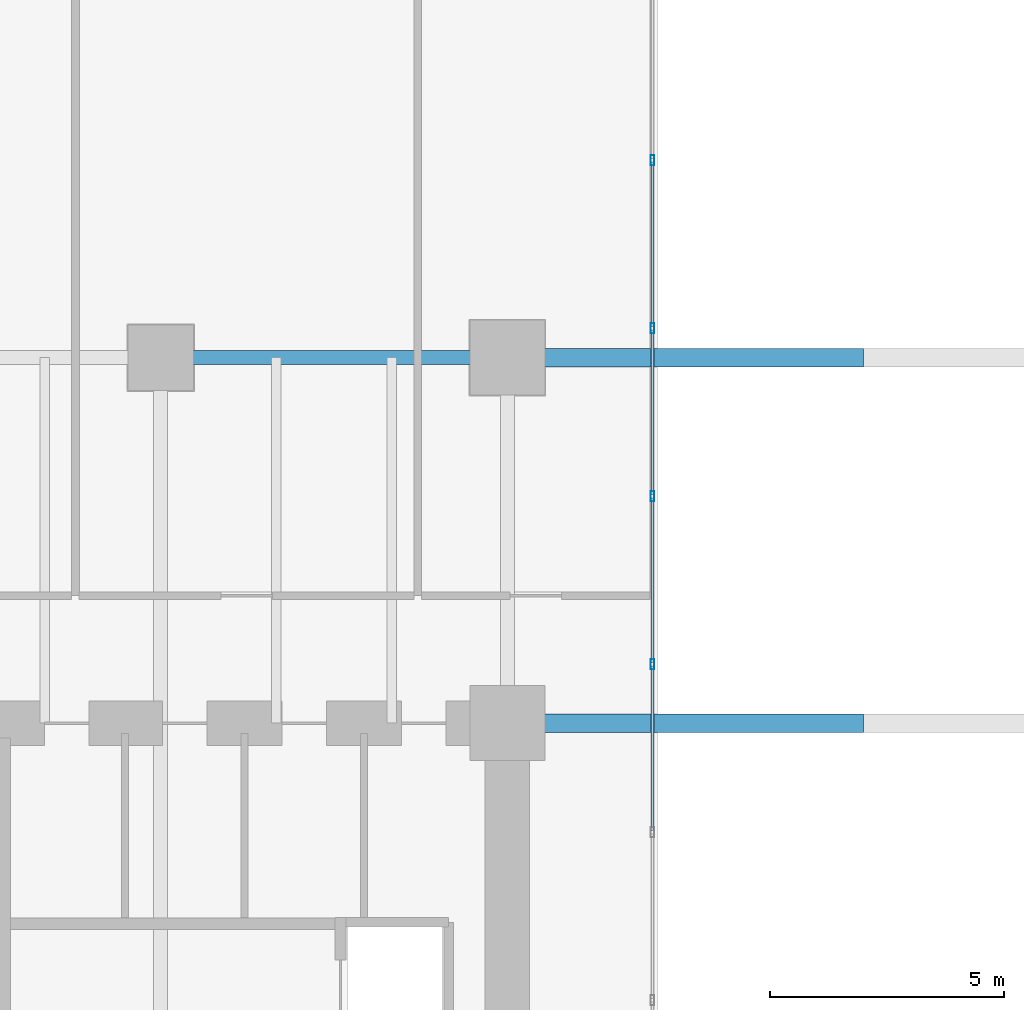
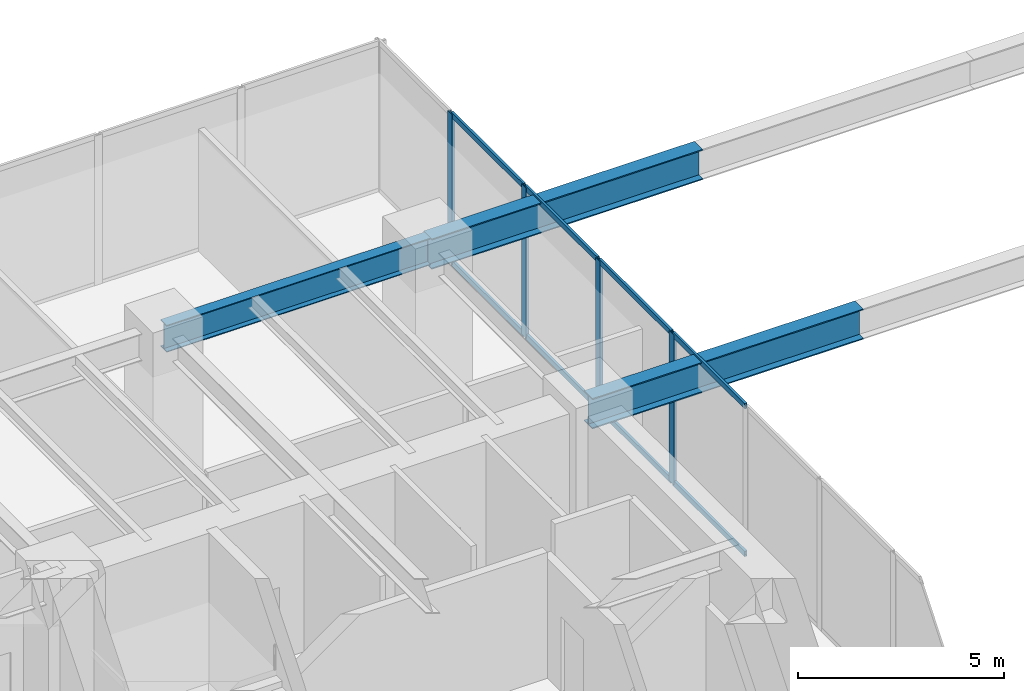
# One storey, part 17 of 39: 12 members, 3 beams, 1 element without a shape of its own.
"""IFC4 building model written with IfcOpenShell, lengths in metres."""

from ifc_helpers import new_model, si_unit, direction, frame, origin, origin_2d, place, context, subcontext, project, spatial, hollow_rectangle, i_section, extrude, source, transform, mapped, material, layer, layer_set, material_profile, profile_set, type_object, type_shapes, element, aggregate, save


model = new_model("IFC4")

# Units and contexts
model_context = context("Model", 3, precision=1e-05, world=origin(), true_north=direction((0.0, 1.0)))
body_context = subcontext(model_context, "Body", "Model", "MODEL_VIEW")
ifc_project = project(units=[si_unit("LENGTHUNIT", "METRE"), si_unit("AREAUNIT", "SQUARE_METRE"), si_unit("VOLUMEUNIT", "CUBIC_METRE"), si_unit("PLANEANGLEUNIT", "RADIAN"), si_unit("MASSUNIT", "GRAM", prefix="KILO")], contexts=[model_context])

# Site, building, storey
site_placement = place(None, origin())
site = spatial("IfcSite", under=ifc_project, at=site_placement, CompositionType="ELEMENT")
building_placement = place(site_placement, origin())
building = spatial("IfcBuilding", under=site, at=building_placement, Name="Haelvirn Gate Laboratories", CompositionType="ELEMENT")
storey_placement = place(building_placement, frame((0.0, 0.0, 15.0)))
storey = spatial("IfcBuildingStorey", under=building, at=storey_placement, Name="L04", CompositionType="ELEMENT", Elevation=15.0)

# Beams
ifc_material_1 = material(Name="Steel SM420", Category="steel")
ifc_material_profile_1 = material_profile(ifc_material_1, i_section(OverallWidth=0.300048828125, OverallDepth=0.800048828125, WebThickness=0.013916015625, FlangeThickness=0.02587890625, at=origin_2d()), Name="H-800x300x14x26")
ifc_profile_set_1 = profile_set([ifc_material_profile_1], Name="Steel SM420")
beam_type_1 = type_object("IfcBeamType", Name="BM-G-800", PredefinedType="BEAM", material=ifc_profile_set_1)
shared_shape_1 = source(origin(), body_context, "Body", "SweptSolid", [
    extrude(i_section(OverallWidth=0.300048828125, OverallDepth=0.800048828125, WebThickness=0.013916015625, FlangeThickness=0.02587890625, at=origin_2d()), origin(), (0.0, 0.0, 1.0), 7.39990234375),
])
type_shapes(beam_type_1, [shared_shape_1])
beam_placement = place(storey_placement, frame((14.800048828125, 41.60009765625, 4.050048828125), z_axis=(1.0, 0.0, 0.0), x_axis=(0.0, 1.0, 0.0)))
element("IfcBeam", 1, at=beam_placement, inside=storey, type_object=beam_type_1, Name="L04 Primary Girder Y41.6 (14.8-22.2)", PredefinedType="BEAM", context=body_context, shape_type="MappedRepresentation", body=[
    mapped(shared_shape_1, transform((0.0, 0.0, 0.0), scale=1.0)),
])
ifc_material_profile_2 = material_profile(ifc_material_1, i_section(OverallWidth=0.39990234375, OverallDepth=0.89990234375, WebThickness=0.01904296875, FlangeThickness=0.031982421875, at=origin_2d()), Name="H-900x400x19x32")
ifc_profile_set_2 = profile_set([ifc_material_profile_2], Name="Steel SM420")
beam_type_2 = type_object("IfcBeamType", Name="BM-TG-900", PredefinedType="BEAM", material=ifc_profile_set_2)
shared_shape_2 = source(origin(), body_context, "Body", "SweptSolid", [
    extrude(i_section(OverallWidth=0.39990234375, OverallDepth=0.89990234375, WebThickness=0.01904296875, FlangeThickness=0.031982421875, at=origin_2d()), origin(), (0.0, 0.0, 1.0), 7.60009765625),
])
type_shapes(beam_type_2, [shared_shape_2])
for number, where, z_axis, x_axis, name in (
    (2, (22.199951171875, 33.800048828125, 4.0), (1.0, 0.0, 0.0), (0.0, 1.0, 0.0), "L05 Portal Transfer Truss Bottom Chord Y33.8-1"),
    (3, (22.199951171875, 41.60009765625, 4.0), (1.0, 0.0, 0.0), (0.0, 1.0, 0.0), "L05 Portal Transfer Truss Bottom Chord Y41.6-1"),
):
    element("IfcBeam", number, at=place(storey_placement, frame(where, z_axis=z_axis, x_axis=x_axis)), inside=storey, type_object=beam_type_2, Name=name, PredefinedType="BEAM", context=body_context, shape_type="MappedRepresentation", body=[
        mapped(shared_shape_2, transform((0.0, 0.0, 0.0), scale=1.0)),
    ])

# Curtain wall, members
ifc_material_2 = material(Name="Anodised bronze unitised aluminium & triple low-E glass", Category="aluminium")
ifc_layer = layer(ifc_material_2, 0.18798828125, Name="CW-SYS-1")
ifc_layer_set = layer_set([ifc_layer], Name="Anodised bronze unitised aluminium & triple low-E glass")
curtain_wall_type = type_object("IfcCurtainWallType", Name="CW-SYS-1", PredefinedType="NOTDEFINED", material=ifc_layer_set)
curtain_wall_placement = place(storey_placement, origin())
curtain_wall = element("IfcCurtainWall", 4, at=curtain_wall_placement, inside=storey, type_object=curtain_wall_type, Name="L04 Unitised Curtain Wall CW-L04-P0-E01", PredefinedType="NOTDEFINED")
ifc_material_3 = material(Name="Extruded aluminium 6063-T6 (anodised bronze)", Category="aluminium")
ifc_material_profile_3 = material_profile(ifc_material_3, hollow_rectangle(XDim=0.070068359375, YDim=0.159912109375, WallThickness=0.0048828125, at=origin_2d()), Name="CWT-160x70x5")
ifc_profile_set_3 = profile_set([ifc_material_profile_3], Name="Extruded aluminium 6063-T6 (anodised bronze)")
member_type_1 = type_object("IfcMemberType", Name="CWT-T160", PredefinedType="USERDEFINED", material=ifc_profile_set_3)
shared_shape_3 = source(origin(), body_context, "Body", "SweptSolid", [
    extrude(hollow_rectangle(XDim=0.070068359375, YDim=0.159912109375, WallThickness=0.0048828125, at=origin_2d()), origin(), (0.0, 0.0, 1.0), 3.505615234375),
])
type_shapes(member_type_1, [shared_shape_3])
member_1_placement = place(storey_placement, frame((25.300048828125, 31.511474609375, 0.034912109375), z_axis=(0.0, 1.0, 0.0), x_axis=(-1.0, 0.0, 0.0)))
member_1 = element("IfcMember", 5, at=member_1_placement, type_object=member_type_1, Name="CW1 transom 10.1", ObjectType="TRANSOM", PredefinedType="USERDEFINED", context=body_context, shape_type="MappedRepresentation", body=[
    mapped(shared_shape_3, transform((0.0, 0.0, 0.0), scale=1.0)),
])
member_2_placement = place(storey_placement, frame((25.300048828125, 31.511474609375, 4.4150390625), z_axis=(0.0, 1.0, 0.0), x_axis=(-1.0, 0.0, 0.0)))
member_2 = element("IfcMember", 6, at=member_2_placement, type_object=member_type_1, Name="CW1 transom 10.2", ObjectType="TRANSOM", PredefinedType="USERDEFINED", context=body_context, shape_type="MappedRepresentation", body=[
    mapped(shared_shape_3, transform((0.0, 0.0, 0.0), scale=1.0)),
])
member_3_placement = place(storey_placement, frame((25.300048828125, 35.09716796875, 0.034912109375), z_axis=(0.0, 1.0, 0.0), x_axis=(-1.0, 0.0, 0.0)))
member_3 = element("IfcMember", 7, at=member_3_placement, type_object=member_type_1, Name="CW1 transom 11.1", ObjectType="TRANSOM", PredefinedType="USERDEFINED", context=body_context, shape_type="MappedRepresentation", body=[
    mapped(shared_shape_3, transform((0.0, 0.0, 0.0), scale=1.0)),
])
member_4_placement = place(storey_placement, frame((25.300048828125, 35.09716796875, 4.4150390625), z_axis=(0.0, 1.0, 0.0), x_axis=(-1.0, 0.0, 0.0)))
member_4 = element("IfcMember", 8, at=member_4_placement, type_object=member_type_1, Name="CW1 transom 11.2", ObjectType="TRANSOM", PredefinedType="USERDEFINED", context=body_context, shape_type="MappedRepresentation", body=[
    mapped(shared_shape_3, transform((0.0, 0.0, 0.0), scale=1.0)),
])
member_5_placement = place(storey_placement, frame((25.300048828125, 38.682861328125, 0.034912109375), z_axis=(0.0, 1.0, 0.0), x_axis=(-1.0, 0.0, 0.0)))
member_5 = element("IfcMember", 9, at=member_5_placement, type_object=member_type_1, Name="CW1 transom 12.1", ObjectType="TRANSOM", PredefinedType="USERDEFINED", context=body_context, shape_type="MappedRepresentation", body=[
    mapped(shared_shape_3, transform((0.0, 0.0, 0.0), scale=1.0)),
])
member_6_placement = place(storey_placement, frame((25.300048828125, 38.682861328125, 4.4150390625), z_axis=(0.0, 1.0, 0.0), x_axis=(-1.0, 0.0, 0.0)))
member_6 = element("IfcMember", 10, at=member_6_placement, type_object=member_type_1, Name="CW1 transom 12.2", ObjectType="TRANSOM", PredefinedType="USERDEFINED", context=body_context, shape_type="MappedRepresentation", body=[
    mapped(shared_shape_3, transform((0.0, 0.0, 0.0), scale=1.0)),
])
member_7_placement = place(storey_placement, frame((25.300048828125, 42.2685546875, 0.034912109375), z_axis=(0.0, 1.0, 0.0), x_axis=(-1.0, 0.0, 0.0)))
member_7 = element("IfcMember", 11, at=member_7_placement, type_object=member_type_1, Name="CW1 transom 13.1", ObjectType="TRANSOM", PredefinedType="USERDEFINED", context=body_context, shape_type="MappedRepresentation", body=[
    mapped(shared_shape_3, transform((0.0, 0.0, 0.0), scale=1.0)),
])
member_8_placement = place(storey_placement, frame((25.300048828125, 42.2685546875, 4.4150390625), z_axis=(0.0, 1.0, 0.0), x_axis=(-1.0, 0.0, 0.0)))
member_8 = element("IfcMember", 12, at=member_8_placement, type_object=member_type_1, Name="CW1 transom 13.2", ObjectType="TRANSOM", PredefinedType="USERDEFINED", context=body_context, shape_type="MappedRepresentation", body=[
    mapped(shared_shape_3, transform((0.0, 0.0, 0.0), scale=1.0)),
])
ifc_material_profile_4 = material_profile(ifc_material_3, hollow_rectangle(XDim=0.080078125, YDim=0.219970703125, WallThickness=0.006103515625, at=origin_2d()), Name="CWM-220x80x6")
ifc_profile_set_4 = profile_set([ifc_material_profile_4], Name="Extruded aluminium 6063-T6 (anodised bronze)")
member_type_2 = type_object("IfcMemberType", Name="CWM-T220", PredefinedType="MULLION", material=ifc_profile_set_4)
shared_shape_4 = source(origin(), body_context, "Body", "SweptSolid", [
    extrude(hollow_rectangle(XDim=0.080078125, YDim=0.219970703125, WallThickness=0.006103515625, at=origin_2d()), origin(), (0.0, 0.0, 1.0), 4.449951171875),
])
type_shapes(member_type_2, [shared_shape_4])
member_9_placement = place(storey_placement, frame((25.300048828125, 35.05712890625, 0.0), z_axis=(0.0, 0.0, 1.0), x_axis=(-1.0, 0.0, 0.0)))
member_9 = element("IfcMember", 13, at=member_9_placement, type_object=member_type_2, Name="CW1 mullion 11", PredefinedType="MULLION", context=body_context, shape_type="MappedRepresentation", body=[
    mapped(shared_shape_4, transform((0.0, 0.0, 0.0), scale=1.0)),
])
member_10_placement = place(storey_placement, frame((25.300048828125, 38.642822265625, 0.0), z_axis=(0.0, 0.0, 1.0), x_axis=(-1.0, 0.0, 0.0)))
member_10 = element("IfcMember", 14, at=member_10_placement, type_object=member_type_2, Name="CW1 mullion 12", PredefinedType="MULLION", context=body_context, shape_type="MappedRepresentation", body=[
    mapped(shared_shape_4, transform((0.0, 0.0, 0.0), scale=1.0)),
])
member_11_placement = place(storey_placement, frame((25.300048828125, 42.228515625, 0.0), z_axis=(0.0, 0.0, 1.0), x_axis=(-1.0, 0.0, 0.0)))
member_11 = element("IfcMember", 15, at=member_11_placement, type_object=member_type_2, Name="CW1 mullion 13", PredefinedType="MULLION", context=body_context, shape_type="MappedRepresentation", body=[
    mapped(shared_shape_4, transform((0.0, 0.0, 0.0), scale=1.0)),
])
member_12_placement = place(storey_placement, frame((25.300048828125, 45.814208984375, 0.0), z_axis=(0.0, 0.0, 1.0), x_axis=(-1.0, 0.0, 0.0)))
member_12 = element("IfcMember", 16, at=member_12_placement, type_object=member_type_2, Name="CW1 mullion 14", PredefinedType="MULLION", context=body_context, shape_type="MappedRepresentation", body=[
    mapped(shared_shape_4, transform((0.0, 0.0, 0.0), scale=1.0)),
])
aggregate(curtain_wall, [member_9, member_10, member_11, member_12, member_1, member_2, member_3, member_4, member_5, member_6, member_7, member_8])

save(model, "model.ifc")
